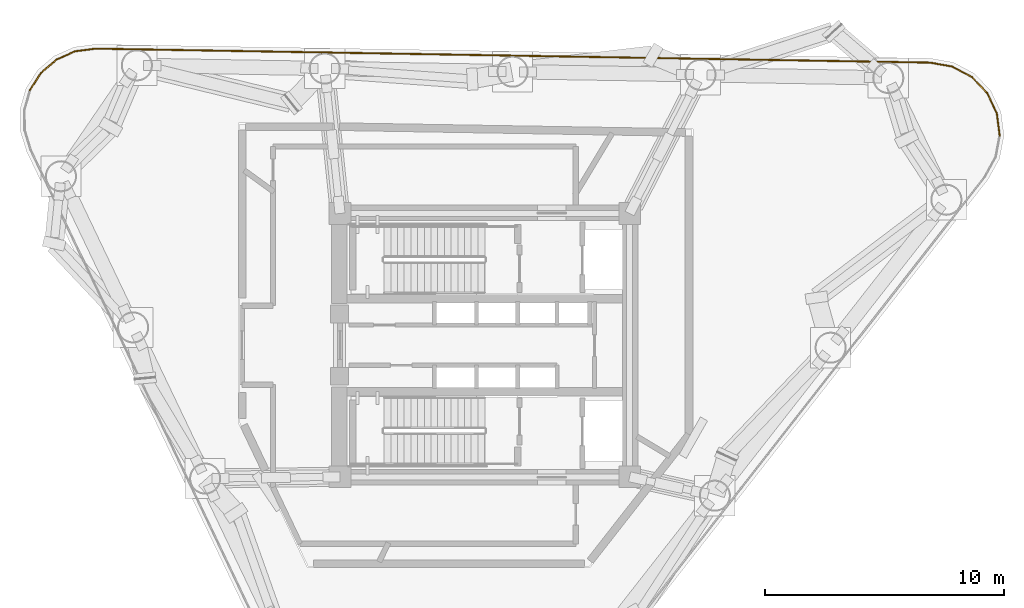
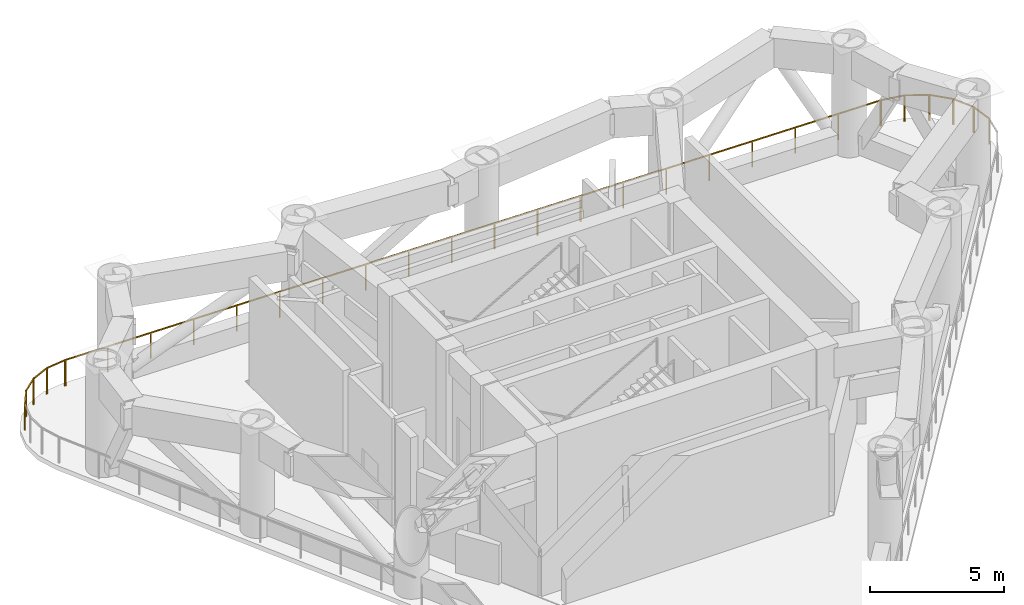
# One storey, part 9 of 9: 10 railings.
"""IFC4 building model written with IfcOpenShell, lengths in metres."""

from ifc_helpers import new_model, si_unit, direction, frame, origin, origin_2d, place, context, subcontext, project, spatial, rectangle, extrude, material, type_object, element, save


model = new_model("IFC4")

# Units and contexts
model_context = context("Model", 3, precision=1e-05, world=origin(), true_north=direction((0.0, 1.0)))
body_context = subcontext(model_context, "Body", "Model", "MODEL_VIEW")
ifc_project = project(units=[si_unit("LENGTHUNIT", "METRE"), si_unit("AREAUNIT", "SQUARE_METRE"), si_unit("VOLUMEUNIT", "CUBIC_METRE"), si_unit("PLANEANGLEUNIT", "RADIAN"), si_unit("MASSUNIT", "GRAM", prefix="KILO")], contexts=[model_context])

# Site, building, storey
site_placement = place(None, origin())
site = spatial("IfcSite", under=ifc_project, at=site_placement, CompositionType="ELEMENT")
building_placement = place(site_placement, origin())
building = spatial("IfcBuilding", under=site, at=building_placement, Name="Yunling Apex Tower", CompositionType="ELEMENT")
storey_placement = place(building_placement, frame((0.0, 0.0, 153.64990234375)))
storey = spatial("IfcBuildingStorey", under=building, at=storey_placement, Name="RF4", CompositionType="ELEMENT", Elevation=153.64990234375)

# Railings
ifc_material = material(Name="Bronze anodised aluminium", Category="aluminium")
railing_type = type_object("IfcRailingType", Name="RL-BAL-1200", PredefinedType="BALUSTRADE", material=ifc_material)
railing_1_placement = place(storey_placement, frame((-19.0126953125, 10.645263671875, 0.0)))
element("IfcRailing", 1, at=railing_1_placement, inside=storey, type_object=railing_type, Name="RL-REF-RF4-05", PredefinedType="BALUSTRADE", context=body_context, shape_type="SweptSolid", body=[
    extrude(rectangle(XDim=0.0439453125, YDim=0.0439453125, at=origin_2d()), origin(), (0.0, 0.0, 1.0), 1.199951171875),
    extrude(rectangle(XDim=0.0439453125, YDim=0.0439453125, at=origin_2d()), frame((0.4775390625, 0.742919921875, 0.0)), (0.0, 0.0, 1.0), 1.199951171875),
    extrude(rectangle(XDim=0.050048828125, YDim=0.050048828125, at=origin_2d()), frame((0.020751953125, 0.0322265625, 1.1748046875), z_axis=(0.540715675627, 0.841205419699, 0.0), x_axis=(-0.841205419699, 0.540715675627, 0.0)), (0.0, 0.0, 1.0), 0.806396484375),
])
railing_2_placement = place(storey_placement, frame((-18.5546875, 11.36572265625, 0.0)))
element("IfcRailing", 2, at=railing_2_placement, inside=storey, type_object=railing_type, Name="RL-REF-RF4-06", PredefinedType="BALUSTRADE", context=body_context, shape_type="SweptSolid", body=[
    extrude(rectangle(XDim=0.0439453125, YDim=0.0439453125, at=origin_2d()), origin(), (0.0, 0.0, 1.0), 1.199951171875),
    extrude(rectangle(XDim=0.0439453125, YDim=0.0439453125, at=origin_2d()), frame((0.670166015625, 0.5751953125, 0.0)), (0.0, 0.0, 1.0), 1.199951171875),
    extrude(rectangle(XDim=0.050048828125, YDim=0.050048828125, at=origin_2d()), frame((0.029052734375, 0.02490234375, 1.1748046875), z_axis=(0.758827142488, 0.651292075665, 0.0), x_axis=(-0.651292075665, 0.758827142488, 0.0)), (0.0, 0.0, 1.0), 0.806396484375),
])
railing_3_placement = place(storey_placement, frame((-17.90966796875, 11.925048828125, 0.0)))
element("IfcRailing", 3, at=railing_3_placement, inside=storey, type_object=railing_type, Name="RL-REF-RF4-07", PredefinedType="BALUSTRADE", context=body_context, shape_type="SweptSolid", body=[
    extrude(rectangle(XDim=0.0439453125, YDim=0.0439453125, at=origin_2d()), origin(), (0.0, 0.0, 1.0), 1.199951171875),
    extrude(rectangle(XDim=0.0439453125, YDim=0.0439453125, at=origin_2d()), frame((0.806884765625, 0.359130859375, 0.0)), (0.0, 0.0, 1.0), 1.199951171875),
    extrude(rectangle(XDim=0.050048828125, YDim=0.050048828125, at=origin_2d()), frame((0.034912109375, 0.015625, 1.1748046875), z_axis=(0.913594835852, 0.406625719679, 0.0), x_axis=(-0.406625719679, 0.913594835852, 0.0)), (0.0, 0.0, 1.0), 0.806640625),
])
railing_4_placement = place(storey_placement, frame((-17.13134765625, 12.27587890625, 0.0)))
element("IfcRailing", 4, at=railing_4_placement, inside=storey, type_object=railing_type, Name="RL-REF-RF4-08", PredefinedType="BALUSTRADE", context=body_context, shape_type="SweptSolid", body=[
    extrude(rectangle(XDim=0.0439453125, YDim=0.0439453125, at=origin_2d()), origin(), (0.0, 0.0, 1.0), 1.199951171875),
    extrude(rectangle(XDim=0.0439453125, YDim=0.0439453125, at=origin_2d()), frame((0.888671875, 0.114990234375, 0.0)), (0.0, 0.0, 1.0), 1.199951171875),
    extrude(rectangle(XDim=0.050048828125, YDim=0.050048828125, at=origin_2d()), frame((0.0380859375, 0.0048828125, 1.1748046875), z_axis=(0.991732068976, 0.128325770464, 0.0), x_axis=(-0.128325770464, 0.991732068976, 0.0)), (0.0, 0.0, 1.0), 0.8193359375),
])
railing_5_placement = place(storey_placement, frame((-16.2724609375, 12.38916015625, 0.0)))
element("IfcRailing", 5, at=railing_5_placement, inside=storey, type_object=railing_type, Name="RL-REF-RF4-09", PredefinedType="BALUSTRADE", context=body_context, shape_type="SweptSolid", body=[
    extrude(rectangle(XDim=0.0439453125, YDim=0.0439453125, at=origin_2d()), origin(), (0.0, 0.0, 1.0), 1.199951171875),
    extrude(rectangle(XDim=0.0439453125, YDim=0.0439453125, at=origin_2d()), frame((34.886962890625, -0.5849609375, 0.0)), (0.0, 0.0, 1.0), 1.199951171875),
    extrude(rectangle(XDim=0.050048828125, YDim=0.050048828125, at=origin_2d()), frame((0.038330078125, -0.000732421875, 1.1748046875), z_axis=(0.999859458091, -0.016764965406, 0.0), x_axis=(0.016764965406, 0.999859458091, 0.0)), (0.0, 0.0, 1.0), 34.815185546875),
    extrude(rectangle(XDim=0.0439453125, YDim=0.0439453125, at=origin_2d()), frame((1.836181640625, -0.03076171875, 0.0)), (0.0, 0.0, 1.0), 1.14599609375),
    extrude(rectangle(XDim=0.0439453125, YDim=0.0439453125, at=origin_2d()), frame((3.67236328125, -0.0615234375, 0.0)), (0.0, 0.0, 1.0), 1.14599609375),
    extrude(rectangle(XDim=0.0439453125, YDim=0.0439453125, at=origin_2d()), frame((5.508544921875, -0.09228515625, 0.0)), (0.0, 0.0, 1.0), 1.14599609375),
    extrude(rectangle(XDim=0.0439453125, YDim=0.0439453125, at=origin_2d()), frame((7.3447265625, -0.123046875, 0.0)), (0.0, 0.0, 1.0), 1.14599609375),
    extrude(rectangle(XDim=0.0439453125, YDim=0.0439453125, at=origin_2d()), frame((9.1806640625, -0.154052734375, 0.0)), (0.0, 0.0, 1.0), 1.14599609375),
    extrude(rectangle(XDim=0.0439453125, YDim=0.0439453125, at=origin_2d()), frame((11.016845703125, -0.184814453125, 0.0)), (0.0, 0.0, 1.0), 1.14599609375),
    extrude(rectangle(XDim=0.0439453125, YDim=0.0439453125, at=origin_2d()), frame((12.85302734375, -0.215576171875, 0.0)), (0.0, 0.0, 1.0), 1.14599609375),
    extrude(rectangle(XDim=0.0439453125, YDim=0.0439453125, at=origin_2d()), frame((14.689208984375, -0.246337890625, 0.0)), (0.0, 0.0, 1.0), 1.14599609375),
    extrude(rectangle(XDim=0.0439453125, YDim=0.0439453125, at=origin_2d()), frame((16.525390625, -0.277099609375, 0.0)), (0.0, 0.0, 1.0), 1.14599609375),
    extrude(rectangle(XDim=0.0439453125, YDim=0.0439453125, at=origin_2d()), frame((18.361572265625, -0.307861328125, 0.0)), (0.0, 0.0, 1.0), 1.14599609375),
    extrude(rectangle(XDim=0.0439453125, YDim=0.0439453125, at=origin_2d()), frame((20.19775390625, -0.338623046875, 0.0)), (0.0, 0.0, 1.0), 1.14599609375),
    extrude(rectangle(XDim=0.0439453125, YDim=0.0439453125, at=origin_2d()), frame((22.033935546875, -0.369384765625, 0.0)), (0.0, 0.0, 1.0), 1.14599609375),
    extrude(rectangle(XDim=0.0439453125, YDim=0.0439453125, at=origin_2d()), frame((23.8701171875, -0.400146484375, 0.0)), (0.0, 0.0, 1.0), 1.14599609375),
    extrude(rectangle(XDim=0.0439453125, YDim=0.0439453125, at=origin_2d()), frame((25.706298828125, -0.430908203125, 0.0)), (0.0, 0.0, 1.0), 1.14599609375),
    extrude(rectangle(XDim=0.0439453125, YDim=0.0439453125, at=origin_2d()), frame((27.542236328125, -0.4619140625, 0.0)), (0.0, 0.0, 1.0), 1.14599609375),
    extrude(rectangle(XDim=0.0439453125, YDim=0.0439453125, at=origin_2d()), frame((29.37841796875, -0.49267578125, 0.0)), (0.0, 0.0, 1.0), 1.14599609375),
    extrude(rectangle(XDim=0.0439453125, YDim=0.0439453125, at=origin_2d()), frame((31.214599609375, -0.5234375, 0.0)), (0.0, 0.0, 1.0), 1.14599609375),
    extrude(rectangle(XDim=0.0439453125, YDim=0.0439453125, at=origin_2d()), frame((33.05078125, -0.55419921875, 0.0)), (0.0, 0.0, 1.0), 1.14599609375),
])
railing_6_placement = place(storey_placement, frame((18.584716796875, 11.80712890625, 0.0)))
element("IfcRailing", 6, at=railing_6_placement, inside=storey, type_object=railing_type, Name="RL-REF-RF4-10", PredefinedType="BALUSTRADE", context=body_context, shape_type="SweptSolid", body=[
    extrude(rectangle(XDim=0.0439453125, YDim=0.0439453125, at=origin_2d()), origin(), (0.0, 0.0, 1.0), 1.199951171875),
    extrude(rectangle(XDim=0.0439453125, YDim=0.0439453125, at=origin_2d()), frame((0.959716796875, -0.169677734375, 0.0)), (0.0, 0.0, 1.0), 1.199951171875),
    extrude(rectangle(XDim=0.050048828125, YDim=0.050048828125, at=origin_2d()), frame((0.037841796875, -0.006591796875, 1.1748046875), z_axis=(0.984728028062, -0.174099714959, 0.0), x_axis=(0.174099714959, 0.984728028062, 0.0)), (0.0, 0.0, 1.0), 0.89794921875),
])
railing_7_placement = place(storey_placement, frame((19.5166015625, 11.647216796875, 0.0)))
element("IfcRailing", 7, at=railing_7_placement, inside=storey, type_object=railing_type, Name="RL-REF-RF4-11", PredefinedType="BALUSTRADE", context=body_context, shape_type="SweptSolid", body=[
    extrude(rectangle(XDim=0.0439453125, YDim=0.0439453125, at=origin_2d()), origin(), (0.0, 0.0, 1.0), 1.199951171875),
    extrude(rectangle(XDim=0.0439453125, YDim=0.0439453125, at=origin_2d()), frame((0.845947265625, -0.45361328125, 0.0)), (0.0, 0.0, 1.0), 1.199951171875),
    extrude(rectangle(XDim=0.050048828125, YDim=0.050048828125, at=origin_2d()), frame((0.03369140625, -0.01806640625, 1.1748046875), z_axis=(0.881294628363, -0.472567220635, 0.0), x_axis=(0.472567220635, 0.881294628363, 0.0)), (0.0, 0.0, 1.0), 0.88330078125),
])
railing_8_placement = place(storey_placement, frame((20.339111328125, 11.21142578125, 0.0)))
element("IfcRailing", 8, at=railing_8_placement, inside=storey, type_object=railing_type, Name="RL-REF-RF4-12", PredefinedType="BALUSTRADE", context=body_context, shape_type="SweptSolid", body=[
    extrude(rectangle(XDim=0.0439453125, YDim=0.0439453125, at=origin_2d()), origin(), (0.0, 0.0, 1.0), 1.199951171875),
    extrude(rectangle(XDim=0.0439453125, YDim=0.0439453125, at=origin_2d()), frame((0.662841796875, -0.694580078125, 0.0)), (0.0, 0.0, 1.0), 1.199951171875),
    extrude(rectangle(XDim=0.050048828125, YDim=0.050048828125, at=origin_2d()), frame((0.0263671875, -0.02783203125, 1.1748046875), z_axis=(0.690385023197, -0.723442132963, 0.0), x_axis=(0.723442132963, 0.690385023197, 0.0)), (0.0, 0.0, 1.0), 0.883544921875),
])
railing_9_placement = place(storey_placement, frame((20.985107421875, 10.541259765625, 0.0)))
element("IfcRailing", 9, at=railing_9_placement, inside=storey, type_object=railing_type, Name="RL-REF-RF4-13", PredefinedType="BALUSTRADE", context=body_context, shape_type="SweptSolid", body=[
    extrude(rectangle(XDim=0.0439453125, YDim=0.0439453125, at=origin_2d()), origin(), (0.0, 0.0, 1.0), 1.199951171875),
    extrude(rectangle(XDim=0.0439453125, YDim=0.0439453125, at=origin_2d()), frame((0.4130859375, -0.86669921875, 0.0)), (0.0, 0.0, 1.0), 1.199951171875),
    extrude(rectangle(XDim=0.050048828125, YDim=0.050048828125, at=origin_2d()), frame((0.0166015625, -0.03466796875, 1.1748046875), z_axis=(0.430249412122, -0.902710054984, 0.0), x_axis=(0.902710054984, 0.430249412122, 0.0)), (0.0, 0.0, 1.0), 0.883544921875),
])
railing_10_placement = place(storey_placement, frame((21.389892578125, 9.702880859375, 0.0)))
element("IfcRailing", 10, at=railing_10_placement, inside=storey, type_object=railing_type, Name="RL-REF-RF4-14", PredefinedType="BALUSTRADE", context=body_context, shape_type="SweptSolid", body=[
    extrude(rectangle(XDim=0.0439453125, YDim=0.0439453125, at=origin_2d()), origin(), (0.0, 0.0, 1.0), 1.199951171875),
    extrude(rectangle(XDim=0.0439453125, YDim=0.0439453125, at=origin_2d()), frame((0.122802734375, -0.9521484375, 0.0)), (0.0, 0.0, 1.0), 1.199951171875),
    extrude(rectangle(XDim=0.050048828125, YDim=0.050048828125, at=origin_2d()), frame((0.0048828125, -0.0380859375, 1.1748046875), z_axis=(0.127914854369, -0.991785153162, 0.0), x_axis=(0.991785153162, 0.127914854369, 0.0)), (0.0, 0.0, 1.0), 0.88330078125),
])

save(model, "model.ifc")
